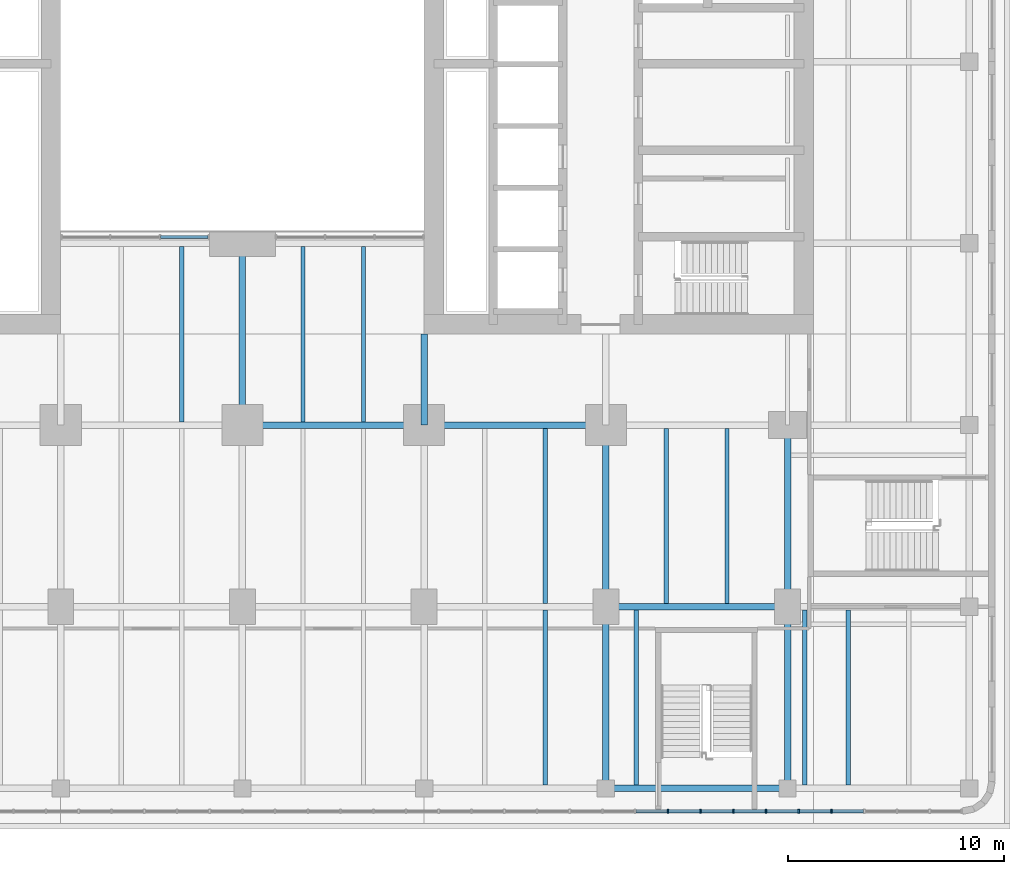
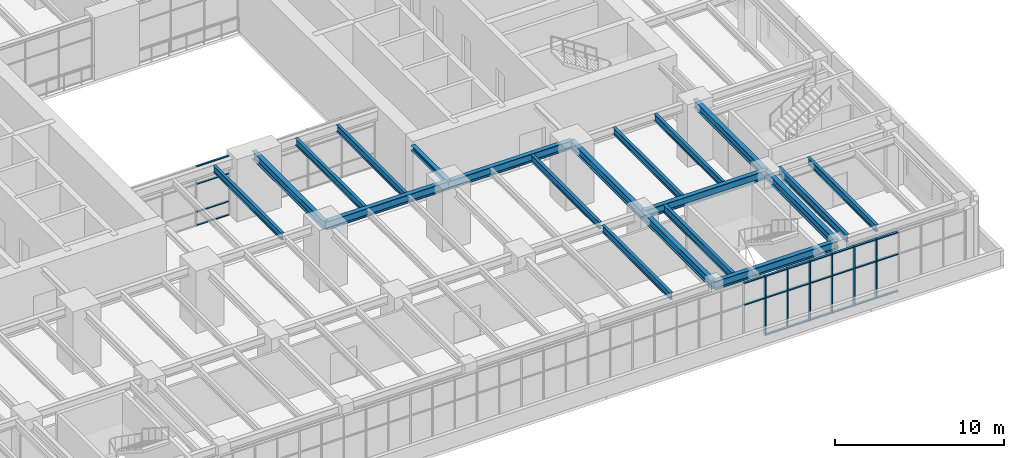
# One storey, part 6 of 30: 30 members, 20 beams, 2 elements without a shape of their own.
"""IFC4 building model written with IfcOpenShell, lengths in metres."""

from ifc_helpers import new_model, si_unit, direction, frame, origin, origin_2d, place, context, subcontext, project, spatial, rectangle, i_section, extrude, material, material_profile, profile_set, type_object, element, aggregate, save


model = new_model("IFC4")

# Units and contexts
model_context = context("Model", 3, precision=1e-05, world=origin(), true_north=direction((0.0, 1.0)))
body_context = subcontext(model_context, "Body", "Model", "MODEL_VIEW")
ifc_project = project(units=[si_unit("LENGTHUNIT", "METRE"), si_unit("AREAUNIT", "SQUARE_METRE"), si_unit("VOLUMEUNIT", "CUBIC_METRE"), si_unit("PLANEANGLEUNIT", "RADIAN"), si_unit("MASSUNIT", "GRAM", prefix="KILO")], contexts=[model_context])

# Site, building, storey
site_placement = place(None, origin())
site = spatial("IfcSite", under=ifc_project, at=site_placement, CompositionType="ELEMENT")
building_placement = place(site_placement, origin())
building = spatial("IfcBuilding", under=site, at=building_placement, Name="Claustro Exchange Tower", CompositionType="ELEMENT")
storey_placement = place(building_placement, frame((0.0, 0.0, 5.39990234375)))
storey = spatial("IfcBuildingStorey", under=building, at=storey_placement, Name="L01", CompositionType="ELEMENT", Elevation=5.39990234375)

# Beams
ifc_material_1 = material(Name="Steel S355", Category="steel")
ifc_material_profile_1 = material_profile(ifc_material_1, i_section(OverallWidth=0.300048828125, OverallDepth=0.60009765625, WebThickness=0.015380859375, FlangeThickness=0.030029296875, FilletRadius=0.027099609375, at=origin_2d()), Name="HE 600 B")
ifc_profile_set_1 = profile_set([ifc_material_profile_1], Name="Steel S355")
beam_type_1 = type_object("IfcBeamType", Name="B1 HE 600 B floor girder", PredefinedType="BEAM", material=ifc_profile_set_1)
beam_1_placement = place(storey_placement, frame((25.199951171875, 8.39990234375, 4.0), z_axis=(0.0, 1.0, 0.0), x_axis=(-1.0, 0.0, 0.0)))
element("IfcBeam", 1, at=beam_1_placement, inside=storey, type_object=beam_type_1, Name="Beam B1 L02", PredefinedType="BEAM", context=body_context, shape_type="SweptSolid", body=[
    extrude(i_section(OverallWidth=0.300048828125, OverallDepth=0.60009765625, WebThickness=0.015380859375, FlangeThickness=0.030029296875, FilletRadius=0.027099609375, at=origin_2d()), origin(), (0.0, 0.0, 1.0), 8.400146484375),
])
for number, where, z_axis, x_axis, name in (
    (2, (42.0, -8.39990234375, 4.0), (0.0, 1.0, 0.0), (-1.0, 0.0, 0.0), "Beam B1 L02"),
    (3, (42.0, 0.0, 4.0), (0.0, 1.0, 0.0), (-1.0, 0.0, 0.0), "Beam B1 L02"),
    (4, (50.39990234375, -8.39990234375, 4.0), (0.0, 1.0, 0.0), (-1.0, 0.0, 0.0), "Beam B1 L02"),
    (5, (50.39990234375, 0.0, 4.0), (0.0, 1.0, 0.0), (-1.0, 0.0, 0.0), "Beam B1 L02"),
    (6, (42.0, -8.39990234375, 4.0), (1.0, 0.0, 0.0), (0.0, 1.0, 0.0), "Beam B1 L02"),
    (7, (42.0, 0.0, 4.0), (1.0, 0.0, 0.0), (0.0, 1.0, 0.0), "Beam B1 L02"),
):
    element("IfcBeam", number, at=place(storey_placement, frame(where, z_axis=z_axis, x_axis=x_axis)), inside=storey, type_object=beam_type_1, Name=name, PredefinedType="BEAM", context=body_context, shape_type="SweptSolid", body=[
        extrude(i_section(OverallWidth=0.300048828125, OverallDepth=0.60009765625, WebThickness=0.015380859375, FlangeThickness=0.030029296875, FilletRadius=0.027099609375, at=origin_2d()), origin(), (0.0, 0.0, 1.0), 8.39990234375),
    ])
beam_2_placement = place(storey_placement, frame((25.199951171875, 8.39990234375, 4.0), z_axis=(1.0, 0.0, 0.0), x_axis=(0.0, 1.0, 0.0)))
element("IfcBeam", 8, at=beam_2_placement, inside=storey, type_object=beam_type_1, Name="Beam B1 L02", PredefinedType="BEAM", context=body_context, shape_type="SweptSolid", body=[
    extrude(i_section(OverallWidth=0.300048828125, OverallDepth=0.60009765625, WebThickness=0.015380859375, FlangeThickness=0.030029296875, FilletRadius=0.027099609375, at=origin_2d()), origin(), (0.0, 0.0, 1.0), 8.400146484375),
])
beam_3_placement = place(storey_placement, frame((33.60009765625, 8.39990234375, 4.0), z_axis=(1.0, 0.0, 0.0), x_axis=(0.0, 1.0, 0.0)))
element("IfcBeam", 9, at=beam_3_placement, inside=storey, type_object=beam_type_1, Name="Beam B1 L02", PredefinedType="BEAM", context=body_context, shape_type="SweptSolid", body=[
    extrude(i_section(OverallWidth=0.300048828125, OverallDepth=0.60009765625, WebThickness=0.015380859375, FlangeThickness=0.030029296875, FilletRadius=0.027099609375, at=origin_2d()), origin(), (0.0, 0.0, 1.0), 8.39990234375),
])
ifc_material_2 = material(Name="Steel S355", Category="steel")
ifc_material_profile_2 = material_profile(ifc_material_2, i_section(OverallWidth=0.199951171875, OverallDepth=0.5, WebThickness=0.01025390625, FlangeThickness=0.01611328125, FilletRadius=0.02099609375, at=origin_2d()), Name="IPE 500")
ifc_profile_set_2 = profile_set([ifc_material_profile_2], Name="Steel S355")
beam_type_2 = type_object("IfcBeamType", Name="B2 IPE 500 secondary beam", PredefinedType="BEAM", material=ifc_profile_set_2)
for number, where, z_axis, x_axis, name in (
    (10, (22.39990234375, 8.550048828125, 4.050048828125), (0.0, 1.0, 0.0), (-1.0, 0.0, 0.0), "Beam B2 L02"),
    (11, (28.0, 8.550048828125, 4.050048828125), (0.0, 1.0, 0.0), (-1.0, 0.0, 0.0), "Beam B2 L02"),
    (12, (30.800048828125, 8.550048828125, 4.050048828125), (0.0, 1.0, 0.0), (-1.0, 0.0, 0.0), "Beam B2 L02"),
):
    element("IfcBeam", number, at=place(storey_placement, frame(where, z_axis=z_axis, x_axis=x_axis)), inside=storey, type_object=beam_type_2, Name=name, PredefinedType="BEAM", context=body_context, shape_type="SweptSolid", body=[
        extrude(i_section(OverallWidth=0.199951171875, OverallDepth=0.5, WebThickness=0.01025390625, FlangeThickness=0.01611328125, FilletRadius=0.02099609375, at=origin_2d()), origin(), (0.0, 0.0, 1.0), 8.099853515625),
    ])
for number, where, z_axis, x_axis, name in (
    (13, (39.199951171875, -8.25, 4.050048828125), (0.0, 1.0, 0.0), (-1.0, 0.0, 0.0), "Beam B2 L02"),
    (14, (39.199951171875, 0.14990234375, 4.050048828125), (0.0, 1.0, 0.0), (-1.0, 0.0, 0.0), "Beam B2 L02"),
    (15, (44.800048828125, 0.14990234375, 4.050048828125), (0.0, 1.0, 0.0), (-1.0, 0.0, 0.0), "Beam B2 L02"),
    (16, (47.60009765625, 0.14990234375, 4.050048828125), (0.0, 1.0, 0.0), (-1.0, 0.0, 0.0), "Beam B2 L02"),
    (17, (53.199951171875, -8.25, 4.050048828125), (0.0, 1.0, 0.0), (-1.0, 0.0, 0.0), "Beam B2 L02"),
):
    element("IfcBeam", number, at=place(storey_placement, frame(where, z_axis=z_axis, x_axis=x_axis)), inside=storey, type_object=beam_type_2, Name=name, PredefinedType="BEAM", context=body_context, shape_type="SweptSolid", body=[
        extrude(i_section(OverallWidth=0.199951171875, OverallDepth=0.5, WebThickness=0.01025390625, FlangeThickness=0.01611328125, FilletRadius=0.02099609375, at=origin_2d()), origin(), (0.0, 0.0, 1.0), 8.10009765625),
    ])
ifc_material_3 = material(Name="Steel S355", Category="steel")
ifc_material_profile_3 = material_profile(ifc_material_3, i_section(OverallWidth=0.2099609375, OverallDepth=0.550048828125, WebThickness=0.010986328125, FlangeThickness=0.01708984375, FilletRadius=0.02392578125, at=origin_2d()), Name="IPE 550")
ifc_profile_set_3 = profile_set([ifc_material_profile_3], Name="Steel S355")
beam_type_3 = type_object("IfcBeamType", Name="B28 IPE 550 podium stair trimmer", PredefinedType="BEAM", material=ifc_profile_set_3)
for number, where, z_axis, x_axis, name in (
    (18, (43.39990234375, -8.25, 4.025146484375), (0.0, 1.0, 0.0), (-1.0, 0.0, 0.0), "Beam B28 trimmer STP2 L02"),
    (19, (51.199951171875, -8.25, 4.025146484375), (0.0, 1.0, 0.0), (-1.0, 0.0, 0.0), "Beam B28 trimmer STP2 L02"),
):
    element("IfcBeam", number, at=place(storey_placement, frame(where, z_axis=z_axis, x_axis=x_axis)), inside=storey, type_object=beam_type_3, Name=name, PredefinedType="BEAM", context=body_context, shape_type="SweptSolid", body=[
        extrude(i_section(OverallWidth=0.2099609375, OverallDepth=0.550048828125, WebThickness=0.010986328125, FlangeThickness=0.01708984375, FilletRadius=0.02392578125, at=origin_2d()), origin(), (0.0, 0.0, 1.0), 8.10009765625),
    ])
ifc_material_4 = material(Name="Steel S355", Category="steel")
ifc_material_profile_4 = material_profile(ifc_material_4, i_section(OverallWidth=0.300048828125, OverallDepth=0.360107421875, WebThickness=0.012451171875, FlangeThickness=0.0224609375, FilletRadius=0.027099609375, at=origin_2d()), Name="HE 360 B")
ifc_profile_set_4 = profile_set([ifc_material_profile_4], Name="Steel S355")
beam_type_4 = type_object("IfcBeamType", Name="B29 HE 360 B column to core link beam", PredefinedType="BEAM", material=ifc_profile_set_4)
beam_4_placement = place(storey_placement, frame((33.60009765625, 8.39990234375, 4.1201171875), z_axis=(0.0, 1.0, 0.0), x_axis=(-1.0, 0.0, 0.0)))
element("IfcBeam", 20, at=beam_4_placement, inside=storey, type_object=beam_type_4, Name="Beam B29 L02", PredefinedType="BEAM", context=body_context, shape_type="SweptSolid", body=[
    extrude(i_section(OverallWidth=0.300048828125, OverallDepth=0.360107421875, WebThickness=0.012451171875, FlangeThickness=0.0224609375, FilletRadius=0.027099609375, at=origin_2d()), origin(), (0.0, 0.0, 1.0), 4.2001953125),
])

# Curtain wall, members
ifc_material_5 = material(Name="Aluminium frame, clear double glazing", Category="aluminium")
curtain_wall_type_1 = type_object("IfcCurtainWallType", Name="CW1 storefront curtain wall", PredefinedType="USERDEFINED", material=ifc_material_5)
curtain_wall_1_placement = place(storey_placement, origin())
curtain_wall_1 = element("IfcCurtainWall", 21, at=curtain_wall_1_placement, inside=storey, type_object=curtain_wall_type_1, Name="Curtain wall CW1 L01", ObjectType="STICK CURTAIN WALL", PredefinedType="USERDEFINED")
ifc_material_6 = material(Name="Aluminium mullion", Category="aluminium")
ifc_material_profile_5 = material_profile(ifc_material_6, rectangle(XDim=0.199951171875, YDim=0.074951171875, at=origin_2d()), Name="CW1-M 75x200")
ifc_profile_set_5 = profile_set([ifc_material_profile_5], Name="Aluminium mullion")
member_type_1 = type_object("IfcMemberType", Name="CW1-M 75 x 200 mullion", PredefinedType="MULLION", material=ifc_profile_set_5)
member_1_placement = place(storey_placement, frame((44.868408203125, -9.449951171875, 0.0), z_axis=(0.0, 0.0, 1.0), x_axis=(0.0, 1.0, 0.0)))
member_1 = element("IfcMember", 22, at=member_1_placement, type_object=member_type_1, Name="CW1 mullion 36", PredefinedType="MULLION", context=body_context, shape_type="SweptSolid", body=[
    extrude(rectangle(XDim=0.199951171875, YDim=0.074951171875, at=origin_2d()), origin(), (0.0, 0.0, 1.0), 4.300048828125),
])
member_2_placement = place(storey_placement, frame((46.381591796875, -9.449951171875, 0.0), z_axis=(0.0, 0.0, 1.0), x_axis=(0.0, 1.0, 0.0)))
member_2 = element("IfcMember", 23, at=member_2_placement, type_object=member_type_1, Name="CW1 mullion 37", PredefinedType="MULLION", context=body_context, shape_type="SweptSolid", body=[
    extrude(rectangle(XDim=0.199951171875, YDim=0.074951171875, at=origin_2d()), origin(), (0.0, 0.0, 1.0), 4.300048828125),
])
member_3_placement = place(storey_placement, frame((47.89453125, -9.449951171875, 0.0), z_axis=(0.0, 0.0, 1.0), x_axis=(0.0, 1.0, 0.0)))
member_3 = element("IfcMember", 24, at=member_3_placement, type_object=member_type_1, Name="CW1 mullion 38", PredefinedType="MULLION", context=body_context, shape_type="SweptSolid", body=[
    extrude(rectangle(XDim=0.199951171875, YDim=0.074951171875, at=origin_2d()), origin(), (0.0, 0.0, 1.0), 4.300048828125),
])
member_4_placement = place(storey_placement, frame((49.407470703125, -9.449951171875, 0.0), z_axis=(0.0, 0.0, 1.0), x_axis=(0.0, 1.0, 0.0)))
member_4 = element("IfcMember", 25, at=member_4_placement, type_object=member_type_1, Name="CW1 mullion 39", PredefinedType="MULLION", context=body_context, shape_type="SweptSolid", body=[
    extrude(rectangle(XDim=0.199951171875, YDim=0.074951171875, at=origin_2d()), origin(), (0.0, 0.0, 1.0), 4.300048828125),
])
member_5_placement = place(storey_placement, frame((50.92041015625, -9.449951171875, 0.0), z_axis=(0.0, 0.0, 1.0), x_axis=(0.0, 1.0, 0.0)))
member_5 = element("IfcMember", 26, at=member_5_placement, type_object=member_type_1, Name="CW1 mullion 40", PredefinedType="MULLION", context=body_context, shape_type="SweptSolid", body=[
    extrude(rectangle(XDim=0.199951171875, YDim=0.074951171875, at=origin_2d()), origin(), (0.0, 0.0, 1.0), 4.300048828125),
])
member_6_placement = place(storey_placement, frame((52.433349609375, -9.449951171875, 0.0), z_axis=(0.0, 0.0, 1.0), x_axis=(0.0, 1.0, 0.0)))
member_6 = element("IfcMember", 27, at=member_6_placement, type_object=member_type_1, Name="CW1 mullion 41", PredefinedType="MULLION", context=body_context, shape_type="SweptSolid", body=[
    extrude(rectangle(XDim=0.199951171875, YDim=0.074951171875, at=origin_2d()), origin(), (0.0, 0.0, 1.0), 4.300048828125),
])
ifc_material_7 = material(Name="Aluminium transom", Category="aluminium")
ifc_material_profile_6 = material_profile(ifc_material_7, rectangle(XDim=0.14990234375, YDim=0.074951171875, at=origin_2d()), Name="CW1-T 75x150")
ifc_profile_set_6 = profile_set([ifc_material_profile_6], Name="Aluminium transom")
member_type_2 = type_object("IfcMemberType", Name="CW1-T 75 x 150 transom", PredefinedType="USERDEFINED", material=ifc_profile_set_6)
member_7_placement = place(storey_placement, frame((43.39306640625, -9.449951171875, 2.7001953125), z_axis=(1.0, 0.0, 0.0), x_axis=(0.0, 1.0, 0.0)))
member_7 = element("IfcMember", 28, at=member_7_placement, type_object=member_type_2, Name="CW1 transom 35.2", ObjectType="TRANSOM", PredefinedType="USERDEFINED", context=body_context, shape_type="SweptSolid", body=[
    extrude(rectangle(XDim=0.14990234375, YDim=0.074951171875, at=origin_2d()), origin(), (0.0, 0.0, 1.0), 1.43798828125),
])
member_8_placement = place(storey_placement, frame((43.39306640625, -9.449951171875, 4.2626953125), z_axis=(1.0, 0.0, 0.0), x_axis=(0.0, 1.0, 0.0)))
member_8 = element("IfcMember", 29, at=member_8_placement, type_object=member_type_2, Name="CW1 transom 35.3", ObjectType="TRANSOM", PredefinedType="USERDEFINED", context=body_context, shape_type="SweptSolid", body=[
    extrude(rectangle(XDim=0.14990234375, YDim=0.074951171875, at=origin_2d()), origin(), (0.0, 0.0, 1.0), 1.43798828125),
])
member_9_placement = place(storey_placement, frame((44.906005859375, -9.449951171875, 0.03759765625), z_axis=(1.0, 0.0, 0.0), x_axis=(0.0, 1.0, 0.0)))
member_9 = element("IfcMember", 30, at=member_9_placement, type_object=member_type_2, Name="CW1 transom 36.1", ObjectType="TRANSOM", PredefinedType="USERDEFINED", context=body_context, shape_type="SweptSolid", body=[
    extrude(rectangle(XDim=0.14990234375, YDim=0.074951171875, at=origin_2d()), origin(), (0.0, 0.0, 1.0), 1.43798828125),
])
member_10_placement = place(storey_placement, frame((44.906005859375, -9.449951171875, 2.7001953125), z_axis=(1.0, 0.0, 0.0), x_axis=(0.0, 1.0, 0.0)))
member_10 = element("IfcMember", 31, at=member_10_placement, type_object=member_type_2, Name="CW1 transom 36.2", ObjectType="TRANSOM", PredefinedType="USERDEFINED", context=body_context, shape_type="SweptSolid", body=[
    extrude(rectangle(XDim=0.14990234375, YDim=0.074951171875, at=origin_2d()), origin(), (0.0, 0.0, 1.0), 1.43798828125),
])
member_11_placement = place(storey_placement, frame((44.906005859375, -9.449951171875, 4.2626953125), z_axis=(1.0, 0.0, 0.0), x_axis=(0.0, 1.0, 0.0)))
member_11 = element("IfcMember", 32, at=member_11_placement, type_object=member_type_2, Name="CW1 transom 36.3", ObjectType="TRANSOM", PredefinedType="USERDEFINED", context=body_context, shape_type="SweptSolid", body=[
    extrude(rectangle(XDim=0.14990234375, YDim=0.074951171875, at=origin_2d()), origin(), (0.0, 0.0, 1.0), 1.43798828125),
])
member_12_placement = place(storey_placement, frame((46.4189453125, -9.449951171875, 0.03759765625), z_axis=(1.0, 0.0, 0.0), x_axis=(0.0, 1.0, 0.0)))
member_12 = element("IfcMember", 33, at=member_12_placement, type_object=member_type_2, Name="CW1 transom 37.1", ObjectType="TRANSOM", PredefinedType="USERDEFINED", context=body_context, shape_type="SweptSolid", body=[
    extrude(rectangle(XDim=0.14990234375, YDim=0.074951171875, at=origin_2d()), origin(), (0.0, 0.0, 1.0), 1.43798828125),
])
member_13_placement = place(storey_placement, frame((46.4189453125, -9.449951171875, 2.7001953125), z_axis=(1.0, 0.0, 0.0), x_axis=(0.0, 1.0, 0.0)))
member_13 = element("IfcMember", 34, at=member_13_placement, type_object=member_type_2, Name="CW1 transom 37.2", ObjectType="TRANSOM", PredefinedType="USERDEFINED", context=body_context, shape_type="SweptSolid", body=[
    extrude(rectangle(XDim=0.14990234375, YDim=0.074951171875, at=origin_2d()), origin(), (0.0, 0.0, 1.0), 1.43798828125),
])
member_14_placement = place(storey_placement, frame((46.4189453125, -9.449951171875, 4.2626953125), z_axis=(1.0, 0.0, 0.0), x_axis=(0.0, 1.0, 0.0)))
member_14 = element("IfcMember", 35, at=member_14_placement, type_object=member_type_2, Name="CW1 transom 37.3", ObjectType="TRANSOM", PredefinedType="USERDEFINED", context=body_context, shape_type="SweptSolid", body=[
    extrude(rectangle(XDim=0.14990234375, YDim=0.074951171875, at=origin_2d()), origin(), (0.0, 0.0, 1.0), 1.43798828125),
])
member_15_placement = place(storey_placement, frame((47.931884765625, -9.449951171875, 0.03759765625), z_axis=(1.0, 0.0, 0.0), x_axis=(0.0, 1.0, 0.0)))
member_15 = element("IfcMember", 36, at=member_15_placement, type_object=member_type_2, Name="CW1 transom 38.1", ObjectType="TRANSOM", PredefinedType="USERDEFINED", context=body_context, shape_type="SweptSolid", body=[
    extrude(rectangle(XDim=0.14990234375, YDim=0.074951171875, at=origin_2d()), origin(), (0.0, 0.0, 1.0), 1.43798828125),
])
member_16_placement = place(storey_placement, frame((47.931884765625, -9.449951171875, 2.7001953125), z_axis=(1.0, 0.0, 0.0), x_axis=(0.0, 1.0, 0.0)))
member_16 = element("IfcMember", 37, at=member_16_placement, type_object=member_type_2, Name="CW1 transom 38.2", ObjectType="TRANSOM", PredefinedType="USERDEFINED", context=body_context, shape_type="SweptSolid", body=[
    extrude(rectangle(XDim=0.14990234375, YDim=0.074951171875, at=origin_2d()), origin(), (0.0, 0.0, 1.0), 1.43798828125),
])
member_17_placement = place(storey_placement, frame((47.931884765625, -9.449951171875, 4.2626953125), z_axis=(1.0, 0.0, 0.0), x_axis=(0.0, 1.0, 0.0)))
member_17 = element("IfcMember", 38, at=member_17_placement, type_object=member_type_2, Name="CW1 transom 38.3", ObjectType="TRANSOM", PredefinedType="USERDEFINED", context=body_context, shape_type="SweptSolid", body=[
    extrude(rectangle(XDim=0.14990234375, YDim=0.074951171875, at=origin_2d()), origin(), (0.0, 0.0, 1.0), 1.43798828125),
])
member_18_placement = place(storey_placement, frame((49.44482421875, -9.449951171875, 0.03759765625), z_axis=(1.0, 0.0, 0.0), x_axis=(0.0, 1.0, 0.0)))
member_18 = element("IfcMember", 39, at=member_18_placement, type_object=member_type_2, Name="CW1 transom 39.1", ObjectType="TRANSOM", PredefinedType="USERDEFINED", context=body_context, shape_type="SweptSolid", body=[
    extrude(rectangle(XDim=0.14990234375, YDim=0.074951171875, at=origin_2d()), origin(), (0.0, 0.0, 1.0), 1.43798828125),
])
member_19_placement = place(storey_placement, frame((49.44482421875, -9.449951171875, 2.7001953125), z_axis=(1.0, 0.0, 0.0), x_axis=(0.0, 1.0, 0.0)))
member_19 = element("IfcMember", 40, at=member_19_placement, type_object=member_type_2, Name="CW1 transom 39.2", ObjectType="TRANSOM", PredefinedType="USERDEFINED", context=body_context, shape_type="SweptSolid", body=[
    extrude(rectangle(XDim=0.14990234375, YDim=0.074951171875, at=origin_2d()), origin(), (0.0, 0.0, 1.0), 1.43798828125),
])
member_20_placement = place(storey_placement, frame((49.44482421875, -9.449951171875, 4.2626953125), z_axis=(1.0, 0.0, 0.0), x_axis=(0.0, 1.0, 0.0)))
member_20 = element("IfcMember", 41, at=member_20_placement, type_object=member_type_2, Name="CW1 transom 39.3", ObjectType="TRANSOM", PredefinedType="USERDEFINED", context=body_context, shape_type="SweptSolid", body=[
    extrude(rectangle(XDim=0.14990234375, YDim=0.074951171875, at=origin_2d()), origin(), (0.0, 0.0, 1.0), 1.43798828125),
])
member_21_placement = place(storey_placement, frame((50.957763671875, -9.449951171875, 0.03759765625), z_axis=(1.0, 0.0, 0.0), x_axis=(0.0, 1.0, 0.0)))
member_21 = element("IfcMember", 42, at=member_21_placement, type_object=member_type_2, Name="CW1 transom 40.1", ObjectType="TRANSOM", PredefinedType="USERDEFINED", context=body_context, shape_type="SweptSolid", body=[
    extrude(rectangle(XDim=0.14990234375, YDim=0.074951171875, at=origin_2d()), origin(), (0.0, 0.0, 1.0), 1.43798828125),
])
member_22_placement = place(storey_placement, frame((50.957763671875, -9.449951171875, 2.7001953125), z_axis=(1.0, 0.0, 0.0), x_axis=(0.0, 1.0, 0.0)))
member_22 = element("IfcMember", 43, at=member_22_placement, type_object=member_type_2, Name="CW1 transom 40.2", ObjectType="TRANSOM", PredefinedType="USERDEFINED", context=body_context, shape_type="SweptSolid", body=[
    extrude(rectangle(XDim=0.14990234375, YDim=0.074951171875, at=origin_2d()), origin(), (0.0, 0.0, 1.0), 1.43798828125),
])
member_23_placement = place(storey_placement, frame((50.957763671875, -9.449951171875, 4.2626953125), z_axis=(1.0, 0.0, 0.0), x_axis=(0.0, 1.0, 0.0)))
member_23 = element("IfcMember", 44, at=member_23_placement, type_object=member_type_2, Name="CW1 transom 40.3", ObjectType="TRANSOM", PredefinedType="USERDEFINED", context=body_context, shape_type="SweptSolid", body=[
    extrude(rectangle(XDim=0.14990234375, YDim=0.074951171875, at=origin_2d()), origin(), (0.0, 0.0, 1.0), 1.43798828125),
])
member_24_placement = place(storey_placement, frame((52.470947265625, -9.449951171875, 0.03759765625), z_axis=(1.0, 0.0, 0.0), x_axis=(0.0, 1.0, 0.0)))
member_24 = element("IfcMember", 45, at=member_24_placement, type_object=member_type_2, Name="CW1 transom 41.1", ObjectType="TRANSOM", PredefinedType="USERDEFINED", context=body_context, shape_type="SweptSolid", body=[
    extrude(rectangle(XDim=0.14990234375, YDim=0.074951171875, at=origin_2d()), origin(), (0.0, 0.0, 1.0), 1.437744140625),
])
member_25_placement = place(storey_placement, frame((52.470947265625, -9.449951171875, 2.7001953125), z_axis=(1.0, 0.0, 0.0), x_axis=(0.0, 1.0, 0.0)))
member_25 = element("IfcMember", 46, at=member_25_placement, type_object=member_type_2, Name="CW1 transom 41.2", ObjectType="TRANSOM", PredefinedType="USERDEFINED", context=body_context, shape_type="SweptSolid", body=[
    extrude(rectangle(XDim=0.14990234375, YDim=0.074951171875, at=origin_2d()), origin(), (0.0, 0.0, 1.0), 1.437744140625),
])
member_26_placement = place(storey_placement, frame((52.470947265625, -9.449951171875, 4.2626953125), z_axis=(1.0, 0.0, 0.0), x_axis=(0.0, 1.0, 0.0)))
member_26 = element("IfcMember", 47, at=member_26_placement, type_object=member_type_2, Name="CW1 transom 41.3", ObjectType="TRANSOM", PredefinedType="USERDEFINED", context=body_context, shape_type="SweptSolid", body=[
    extrude(rectangle(XDim=0.14990234375, YDim=0.074951171875, at=origin_2d()), origin(), (0.0, 0.0, 1.0), 1.437744140625),
])
aggregate(curtain_wall_1, [member_1, member_2, member_3, member_4, member_5, member_6, member_7, member_8, member_9, member_10, member_11, member_12, member_13, member_14, member_15, member_16, member_17, member_18, member_19, member_20, member_21, member_22, member_23, member_24, member_25, member_26])

ifc_material_8 = material(Name="Aluminium frame, clear double glazing", Category="aluminium")
curtain_wall_type_2 = type_object("IfcCurtainWallType", Name="CW3 light well curtain wall", PredefinedType="USERDEFINED", material=ifc_material_8)
curtain_wall_2_placement = place(storey_placement, origin())
curtain_wall_2 = element("IfcCurtainWall", 48, at=curtain_wall_2_placement, inside=storey, type_object=curtain_wall_type_2, Name="Curtain wall CW3 L01", ObjectType="STICK CURTAIN WALL", PredefinedType="USERDEFINED")
ifc_material_9 = material(Name="Aluminium transom", Category="aluminium")
ifc_material_profile_7 = material_profile(ifc_material_9, rectangle(XDim=0.1298828125, YDim=0.06494140625, at=origin_2d()), Name="CW3-T 65x130")
ifc_profile_set_7 = profile_set([ifc_material_profile_7], Name="Aluminium transom")
member_type_3 = type_object("IfcMemberType", Name="CW3-T 65 x 130 transom", PredefinedType="USERDEFINED", material=ifc_profile_set_7)
member_27_placement = place(storey_placement, frame((21.415771484375, 17.10009765625, 0.03271484375), z_axis=(1.0, 0.0, 0.0), x_axis=(0.0, 1.0, 0.0)))
member_27 = element("IfcMember", 49, at=member_27_placement, type_object=member_type_3, Name="CW3 transom 3.1", ObjectType="TRANSOM", PredefinedType="USERDEFINED", context=body_context, shape_type="SweptSolid", body=[
    extrude(rectangle(XDim=0.1298828125, YDim=0.06494140625, at=origin_2d()), origin(), (0.0, 0.0, 1.0), 2.1943359375),
])
member_28_placement = place(storey_placement, frame((21.415771484375, 17.10009765625, 1.0), z_axis=(1.0, 0.0, 0.0), x_axis=(0.0, 1.0, 0.0)))
member_28 = element("IfcMember", 50, at=member_28_placement, type_object=member_type_3, Name="CW3 transom 3.2", ObjectType="TRANSOM", PredefinedType="USERDEFINED", context=body_context, shape_type="SweptSolid", body=[
    extrude(rectangle(XDim=0.1298828125, YDim=0.06494140625, at=origin_2d()), origin(), (0.0, 0.0, 1.0), 2.1943359375),
])
member_29_placement = place(storey_placement, frame((21.415771484375, 17.10009765625, 3.0), z_axis=(1.0, 0.0, 0.0), x_axis=(0.0, 1.0, 0.0)))
member_29 = element("IfcMember", 51, at=member_29_placement, type_object=member_type_3, Name="CW3 transom 3.3", ObjectType="TRANSOM", PredefinedType="USERDEFINED", context=body_context, shape_type="SweptSolid", body=[
    extrude(rectangle(XDim=0.1298828125, YDim=0.06494140625, at=origin_2d()), origin(), (0.0, 0.0, 1.0), 2.1943359375),
])
member_30_placement = place(storey_placement, frame((21.415771484375, 17.10009765625, 4.267578125), z_axis=(1.0, 0.0, 0.0), x_axis=(0.0, 1.0, 0.0)))
member_30 = element("IfcMember", 52, at=member_30_placement, type_object=member_type_3, Name="CW3 transom 3.4", ObjectType="TRANSOM", PredefinedType="USERDEFINED", context=body_context, shape_type="SweptSolid", body=[
    extrude(rectangle(XDim=0.1298828125, YDim=0.06494140625, at=origin_2d()), origin(), (0.0, 0.0, 1.0), 2.1943359375),
])
aggregate(curtain_wall_2, [member_27, member_28, member_29, member_30])

save(model, "model.ifc")
